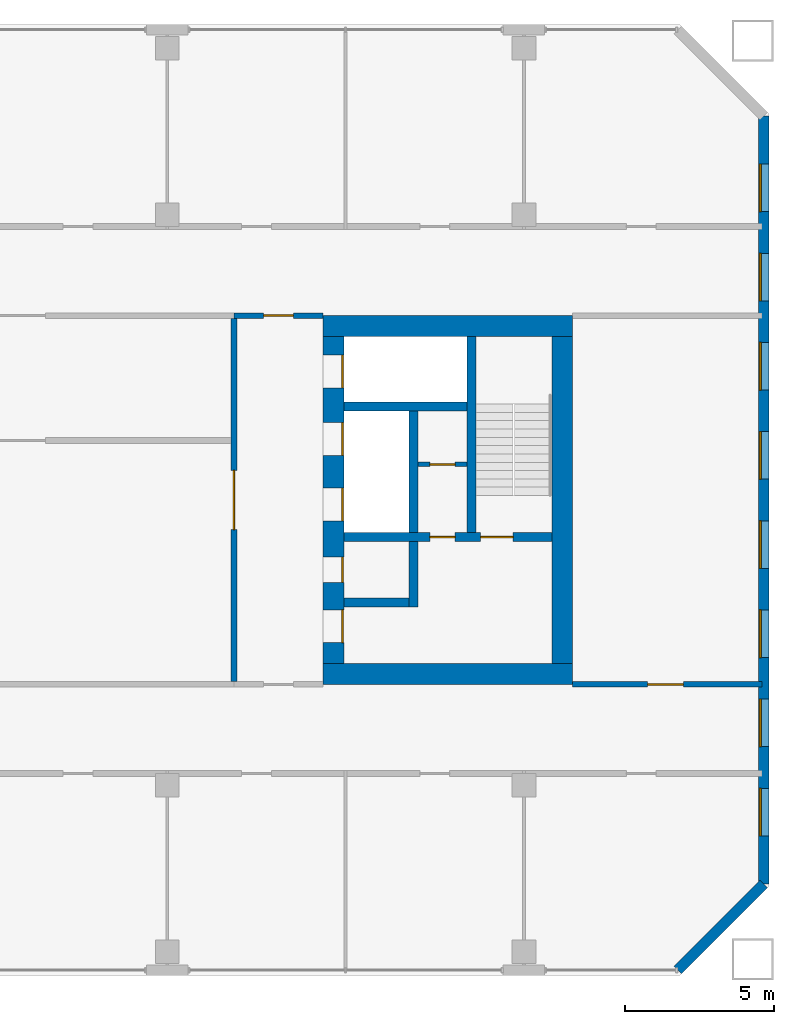
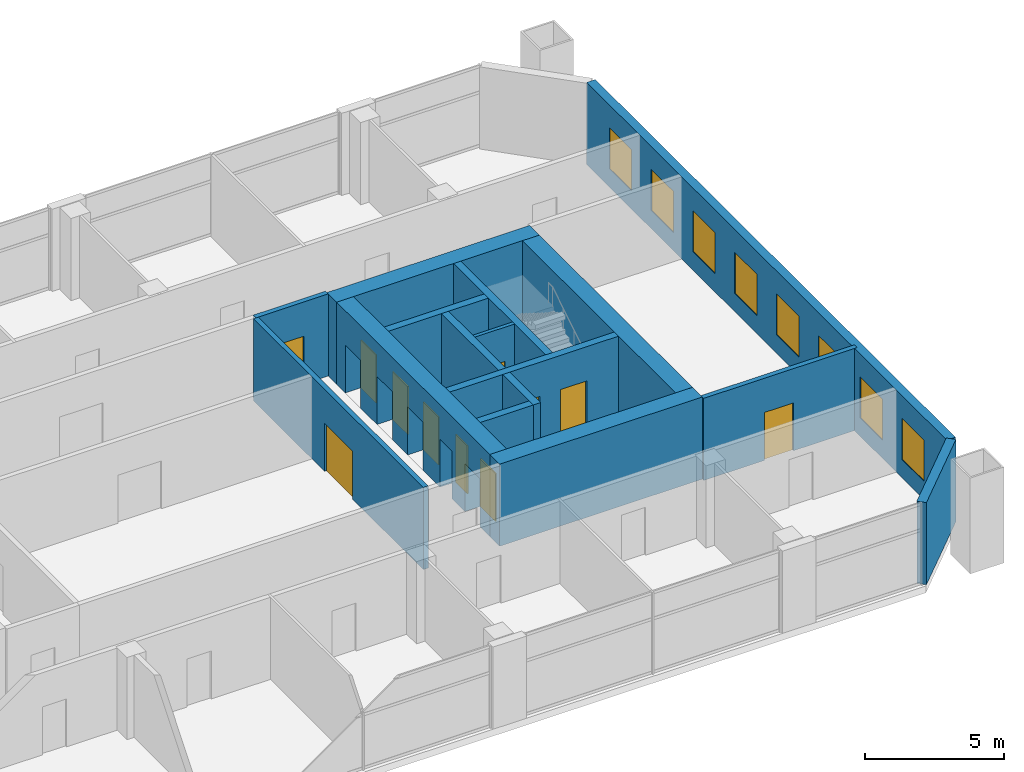
# One storey, part 15 of 19: 16 walls, 11 doors, 8 windows, 19 openings.
"""IFC4 building model written with IfcOpenShell, lengths in metres."""

import ifcopenshell
import ifcopenshell.guid

model = None  # the IFC model being written
_history = None  # IfcOwnerHistory: only IFC2X3 demands one
_inside = {}  # id of a spatial element -> (the spatial element, [elements in it])
_under = {}  # id of a project, library or spatial element -> (it, [spatial elements below it])
_declared = {}  # id of a project -> (the project, [libraries it declares])
_typed = {}  # id of a type object -> (the type object, [elements of that type])
_made_of = {}  # id of a material, layer set ... -> (it, [elements and type objects made of it])


def new_model(schema):
    """Start an empty IFC model of exactly this schema.

    Asked for "IFC4X3", IfcOpenShell would pick the latest addendum, in which some entities
    have other attributes; the version numbers below select the first issue.
    IFC2X3 requires an IfcOwnerHistory on every rooted entity: one is made here for all.
    """
    global model, _history
    if schema == "IFC4X3":
        model = ifcopenshell.file(schema_version=(4, 3, 0, 0))
    else:
        model = ifcopenshell.file(schema=schema)
    _inside.clear()
    _under.clear()
    _declared.clear()
    _typed.clear()
    _made_of.clear()
    _history = None
    if model.schema == "IFC2X3":
        org = make("IfcOrganization", Name="unknown")
        user = make(
            "IfcPersonAndOrganization",
            ThePerson=make("IfcPerson", FamilyName="unknown"),
            TheOrganization=org,
        )
        app = make(
            "IfcApplication",
            ApplicationDeveloper=org,
            Version="unknown",
            ApplicationFullName="unknown",
            ApplicationIdentifier="unknown",
        )
        _history = make(
            "IfcOwnerHistory",
            OwningUser=user,
            OwningApplication=app,
            ChangeAction="ADDED",
            CreationDate=0,
        )
    return model


def make(cls, **values):
    """One entity of the class cls with the attributes given. An attribute that is None is left unset."""
    return model.create_entity(
        cls, **{name: value for name, value in values.items() if value is not None}
    )


def rooted(cls, **values):
    """An entity with a GlobalId (a new one), such as an element, a storey or a relation."""
    return make(cls, GlobalId=ifcopenshell.guid.new(), OwnerHistory=_history, **values)


def si_unit(unit_type, name, prefix=None):
    """IfcSIUnit, for example si_unit("LENGTHUNIT", "METRE", prefix="MILLI")."""
    return make("IfcSIUnit", UnitType=unit_type, Prefix=prefix, Name=name)


def assignment(units):
    """IfcUnitAssignment: the units of a project."""
    return None if units is None else make("IfcUnitAssignment", Units=units)


def point(xyz):
    """IfcCartesianPoint."""
    return None if xyz is None else make("IfcCartesianPoint", Coordinates=xyz)


def direction(xyz):
    """IfcDirection."""
    return None if xyz is None else make("IfcDirection", DirectionRatios=xyz)


def frame(location, z_axis=None, x_axis=None):
    """IfcAxis2Placement3D, a coordinate frame: its origin and axes. An axis left out is left unset."""
    return make(
        "IfcAxis2Placement3D",
        Location=point(location),
        Axis=direction(z_axis),
        RefDirection=direction(x_axis),
    )


def frame_2d(location, x_axis=None):
    """IfcAxis2Placement2D, a coordinate frame in the plane: its origin and x axis."""
    return make(
        "IfcAxis2Placement2D", Location=point(location), RefDirection=direction(x_axis)
    )


def origin():
    """The frame at (0, 0, 0) with its axes left unset."""
    return frame((0.0, 0.0, 0.0))


def place(relative_to, where):
    """IfcLocalPlacement: puts the frame where relative to a parent placement (None: the world)."""
    return make(
        "IfcLocalPlacement", PlacementRelTo=relative_to, RelativePlacement=where
    )


def context(
    kind, dimensions, precision=None, world=None, true_north=None, identifier=None
):
    """IfcGeometricRepresentationContext, for example the 3D "Model" context."""
    return make(
        "IfcGeometricRepresentationContext",
        ContextIdentifier=identifier,
        ContextType=kind,
        CoordinateSpaceDimension=dimensions,
        Precision=precision,
        WorldCoordinateSystem=world,
        TrueNorth=true_north,
    )


def subcontext(parent, identifier, kind, view, scale=None):
    """IfcGeometricRepresentationSubContext, for example "Body" below "Model"."""
    return make(
        "IfcGeometricRepresentationSubContext",
        ContextIdentifier=identifier,
        ContextType=kind,
        ParentContext=parent,
        TargetScale=scale,
        TargetView=view,
    )


def project(units=None, contexts=None):
    """IfcProject with its units and contexts."""
    return rooted(
        "IfcProject",
        Name="project",
        RepresentationContexts=contexts,
        UnitsInContext=assignment(units),
    )


def spatial(cls, under=None, at=None, **own):
    """A site, building, storey or space (cls), placed at a placement, below another one or the project."""
    s = rooted(cls, ObjectPlacement=at, **own)
    if under is not None:
        _under.setdefault(under.id(), (under, []))[1].append(s)
    return s


def profile(cls, at=None, kind="AREA", **sizes):
    """A parametric profile (cls). Its sizes go by their IFC names, for example OverallWidth=200.0."""
    return make(cls, ProfileType=kind, Position=at, **sizes)


def rectangle(**sizes):
    """IfcRectangleProfileDef."""
    return profile("IfcRectangleProfileDef", **sizes)


def extrude(swept, where, along, depth):
    """IfcExtrudedAreaSolid: the profile swept, set in the frame where, extruded along a direction by depth."""
    return make(
        "IfcExtrudedAreaSolid",
        SweptArea=swept,
        Position=where,
        ExtrudedDirection=direction(along),
        Depth=depth,
    )


def shape(context_of_items, identifier, shape_type, items):
    """IfcShapeRepresentation: the items that make up one representation, for example the "Body"."""
    return make(
        "IfcShapeRepresentation",
        ContextOfItems=context_of_items,
        RepresentationIdentifier=identifier,
        RepresentationType=shape_type,
        Items=items,
    )


def material(Name=None, Category=None):
    """IfcMaterial."""
    return make("IfcMaterial", Name=Name, Category=Category)


def layer(
    of_material, thickness, ventilated=None, Name=None, Category=None, Priority=None
):
    """IfcMaterialLayer: one layer of a wall or slab, of a material (None: an air gap)."""
    return make(
        "IfcMaterialLayer",
        Material=of_material,
        LayerThickness=thickness,
        IsVentilated=ventilated,
        Name=Name,
        Category=Category,
        Priority=Priority,
    )


def layer_set(layers, Name=None):
    """IfcMaterialLayerSet."""
    return make("IfcMaterialLayerSet", MaterialLayers=layers, LayerSetName=Name)


def made_of(thing, what):
    """Note that an element or type object is made of a material, layer set ...; save() writes the relation."""
    if what is not None:
        _made_of.setdefault(what.id(), (what, []))[1].append(thing)
    return thing


def type_object(cls, material=None, **own):
    """A type object (cls), such as IfcWallType, which elements share."""
    return made_of(rooted(cls, **own), material)


def element(
    cls,
    number,
    at=None,
    inside=None,
    cuts=None,
    type_object=None,
    material=None,
    context=None,
    identifier="Body",
    shape_type=None,
    held_by="IfcProductDefinitionShape",
    body=None,
    shapes=None,
    **own,
):
    """One element of the class cls, such as IfcWall. Its Tag is "e" and its number.

    at: its placement. inside: the storey or other place that contains it. cuts: it is an
    opening in that element (IfcRelVoidsElement). A single representation is given by context,
    identifier, shape_type and body (its items); several are given by shapes. held_by: the class
    of the entity that holds the representations. save() writes the other relations.
    """
    e = rooted(cls, Tag="e%d" % number, ObjectPlacement=at, **own)
    if body is not None:
        shapes = [shape(context, identifier, shape_type, body)]
    if shapes is not None:
        e.Representation = make(held_by, Representations=shapes)
    if inside is not None:
        _inside.setdefault(inside.id(), (inside, []))[1].append(e)
    if cuts is not None:
        rooted(
            "IfcRelVoidsElement", RelatingBuildingElement=cuts, RelatedOpeningElement=e
        )
    if type_object is not None:
        _typed.setdefault(type_object.id(), (type_object, []))[1].append(e)
    return made_of(e, material)


def fill(opening, filler):
    """IfcRelFillsElement: the door or window that sits in an opening."""
    return rooted(
        "IfcRelFillsElement",
        RelatingOpeningElement=opening,
        RelatedBuildingElement=filler,
    )


def aggregate(whole, parts):
    """IfcRelAggregates: a whole, such as a stair, and the parts it consists of."""
    return rooted("IfcRelAggregates", RelatingObject=whole, RelatedObjects=parts)


def save(model, path):
    """Write the relations noted so far, then the file.

    IfcRelAggregates (storeys below a building ...), IfcRelContainedInSpatialStructure (elements
    in a storey), IfcRelDefinesByType, IfcRelAssociatesMaterial and IfcRelDeclares: one each for
    every whole, place, type object, material and project.
    """
    for whole, parts in _under.values():
        aggregate(whole, parts)
    for where, things in _inside.values():
        rooted(
            "IfcRelContainedInSpatialStructure",
            RelatedElements=things,
            RelatingStructure=where,
        )
    for kind, things in _typed.values():
        rooted("IfcRelDefinesByType", RelatedObjects=things, RelatingType=kind)
    for what, things in _made_of.values():
        rooted("IfcRelAssociatesMaterial", RelatedObjects=things, RelatingMaterial=what)
    for by, libraries in _declared.values():
        rooted("IfcRelDeclares", RelatingContext=by, RelatedDefinitions=libraries)
    model.write(path)


model = new_model("IFC4")

# Units and contexts
model_context = context("Model", 3, precision=1e-05, world=origin(), true_north=direction((0.0, 1.0)))
body_context = subcontext(model_context, "Body", "Model", "MODEL_VIEW")
ifc_project = project(units=[si_unit("LENGTHUNIT", "METRE"), si_unit("AREAUNIT", "SQUARE_METRE"), si_unit("VOLUMEUNIT", "CUBIC_METRE"), si_unit("PLANEANGLEUNIT", "RADIAN"), si_unit("MASSUNIT", "GRAM", prefix="KILO")], contexts=[model_context])

# Site, building, storey
site_placement = place(None, origin())
site = spatial("IfcSite", under=ifc_project, at=site_placement, CompositionType="ELEMENT")
building_placement = place(site_placement, origin())
building = spatial("IfcBuilding", under=site, at=building_placement, Name="Tuart Gate Housing", CompositionType="ELEMENT")
storey_placement = place(building_placement, frame((0.0, 0.0, 67.39990234375)))
storey = spatial("IfcBuildingStorey", under=building, at=storey_placement, Name="L18", CompositionType="ELEMENT", Elevation=67.39990234375)

# Wall
ifc_material_1 = material(Name="Brick", Category="masonry")
ifc_layer_1 = layer(ifc_material_1, 0.360107421875)
ifc_layer_set_1 = layer_set([ifc_layer_1], Name="Brick pier and spandrel wall 360")
wall_type_1 = type_object("IfcWallType", Name="Brick pier and spandrel wall 360", PredefinedType="STANDARD", material=ifc_layer_set_1)
wall_1_placement = place(storey_placement, frame((172.17529296875, 54.179931640625, 0.0), z_axis=(0.0, 0.0, 1.0), x_axis=(0.707106781187, 0.707106781187, 0.0)))
element("IfcWall", 1, at=wall_1_placement, inside=storey, type_object=wall_type_1, Name="External wall B-SE L18", PredefinedType="STANDARD", context=body_context, shape_type="SweptSolid", body=[
    extrude(rectangle(XDim=4.09375, YDim=0.360107421875, at=frame_2d((2.046875, 0.0))), origin(), (0.0, 0.0, 1.0), 3.60009765625),
])

# Wall, openings, windows
wall_2_placement = place(storey_placement, frame((175.070068359375, 57.07470703125, 0.0), z_axis=(0.0, 0.0, 1.0), x_axis=(0.0, 1.0, 0.0)))
wall_2 = element("IfcWall", 2, at=wall_2_placement, inside=storey, type_object=wall_type_1, Name="External wall B-E L18", PredefinedType="STANDARD", context=body_context, shape_type="SweptSolid", body=[
    extrude(rectangle(XDim=25.850830078125, YDim=0.360107421875, at=frame_2d((12.92529296875, 0.0))), origin(), (0.0, 0.0, 1.0), 3.60009765625),
])
opening_1_placement = place(wall_2_placement, frame((1.62548828125, 0.0, 0.800048828125)))
opening_1 = element("IfcOpeningElement", 3, at=opening_1_placement, cuts=wall_2, Name="Opening W1", PredefinedType="OPENING", context=body_context, shape_type="SweptSolid", body=[
    extrude(rectangle(XDim=1.60009765625, YDim=1.800048828125, at=frame_2d((0.800048828125, 0.89990234375))), frame((0.0, 0.18994140625, 0.0), z_axis=(0.0, -1.0, 0.0), x_axis=(1.0, 0.0, 0.0)), (0.0, 0.0, 1.0), 0.380126953125),
])
opening_2_placement = place(wall_2_placement, frame((4.62548828125, 0.0, 0.800048828125)))
opening_2 = element("IfcOpeningElement", 4, at=opening_2_placement, cuts=wall_2, Name="Opening W1", PredefinedType="OPENING", context=body_context, shape_type="SweptSolid", body=[
    extrude(rectangle(XDim=1.60009765625, YDim=1.800048828125, at=frame_2d((0.800048828125, 0.89990234375))), frame((0.0, 0.18994140625, 0.0), z_axis=(0.0, -1.0, 0.0), x_axis=(1.0, 0.0, 0.0)), (0.0, 0.0, 1.0), 0.380126953125),
])
opening_3_placement = place(wall_2_placement, frame((7.62548828125, 0.0, 0.800048828125)))
opening_3 = element("IfcOpeningElement", 5, at=opening_3_placement, cuts=wall_2, Name="Opening W1", PredefinedType="OPENING", context=body_context, shape_type="SweptSolid", body=[
    extrude(rectangle(XDim=1.60009765625, YDim=1.800048828125, at=frame_2d((0.800048828125, 0.89990234375))), frame((0.0, 0.18994140625, 0.0), z_axis=(0.0, -1.0, 0.0), x_axis=(1.0, 0.0, 0.0)), (0.0, 0.0, 1.0), 0.380126953125),
])
opening_4_placement = place(wall_2_placement, frame((10.62548828125, 0.0, 0.800048828125)))
opening_4 = element("IfcOpeningElement", 6, at=opening_4_placement, cuts=wall_2, Name="Opening W1", PredefinedType="OPENING", context=body_context, shape_type="SweptSolid", body=[
    extrude(rectangle(XDim=1.60009765625, YDim=1.800048828125, at=frame_2d((0.800048828125, 0.89990234375))), frame((0.0, 0.18994140625, 0.0), z_axis=(0.0, -1.0, 0.0), x_axis=(1.0, 0.0, 0.0)), (0.0, 0.0, 1.0), 0.380126953125),
])
opening_5_placement = place(wall_2_placement, frame((13.62548828125, 0.0, 0.800048828125)))
opening_5 = element("IfcOpeningElement", 7, at=opening_5_placement, cuts=wall_2, Name="Opening W1", PredefinedType="OPENING", context=body_context, shape_type="SweptSolid", body=[
    extrude(rectangle(XDim=1.60009765625, YDim=1.800048828125, at=frame_2d((0.800048828125, 0.89990234375))), frame((0.0, 0.18994140625, 0.0), z_axis=(0.0, -1.0, 0.0), x_axis=(1.0, 0.0, 0.0)), (0.0, 0.0, 1.0), 0.380126953125),
])
opening_6_placement = place(wall_2_placement, frame((16.62548828125, 0.0, 0.800048828125)))
opening_6 = element("IfcOpeningElement", 8, at=opening_6_placement, cuts=wall_2, Name="Opening W1", PredefinedType="OPENING", context=body_context, shape_type="SweptSolid", body=[
    extrude(rectangle(XDim=1.60009765625, YDim=1.800048828125, at=frame_2d((0.800048828125, 0.89990234375))), frame((0.0, 0.18994140625, 0.0), z_axis=(0.0, -1.0, 0.0), x_axis=(1.0, 0.0, 0.0)), (0.0, 0.0, 1.0), 0.380126953125),
])
opening_7_placement = place(wall_2_placement, frame((19.62548828125, 0.0, 0.800048828125)))
opening_7 = element("IfcOpeningElement", 9, at=opening_7_placement, cuts=wall_2, Name="Opening W1", PredefinedType="OPENING", context=body_context, shape_type="SweptSolid", body=[
    extrude(rectangle(XDim=1.60009765625, YDim=1.800048828125, at=frame_2d((0.800048828125, 0.89990234375))), frame((0.0, 0.18994140625, 0.0), z_axis=(0.0, -1.0, 0.0), x_axis=(1.0, 0.0, 0.0)), (0.0, 0.0, 1.0), 0.380126953125),
])
opening_8_placement = place(wall_2_placement, frame((22.62548828125, 0.0, 0.800048828125)))
opening_8 = element("IfcOpeningElement", 10, at=opening_8_placement, cuts=wall_2, Name="Opening W1", PredefinedType="OPENING", context=body_context, shape_type="SweptSolid", body=[
    extrude(rectangle(XDim=1.60009765625, YDim=1.800048828125, at=frame_2d((0.800048828125, 0.89990234375))), frame((0.0, 0.18994140625, 0.0), z_axis=(0.0, -1.0, 0.0), x_axis=(1.0, 0.0, 0.0)), (0.0, 0.0, 1.0), 0.380126953125),
])
ifc_material_2 = material(Name="Aluminium frame with clear glass", Category="aluminium")
window_type = type_object("IfcWindowType", Name="Punched window 1600 x 1800", PartitioningType="SINGLE_PANEL", PredefinedType="WINDOW", material=ifc_material_2)
window_1_placement = place(opening_1_placement, origin())
window_1 = element("IfcWindow", 11, at=window_1_placement, inside=storey, type_object=window_type, Name="Window W1", OverallHeight=1.800048828125, OverallWidth=1.60009765625, PartitioningType="SINGLE_PANEL", PredefinedType="WINDOW", context=body_context, shape_type="SweptSolid", body=[
    extrude(rectangle(XDim=1.60009765625, YDim=1.800048828125, at=frame_2d((0.800048828125, 0.89990234375))), frame((0.0, 0.150146484375, 0.0), z_axis=(0.0, -1.0, 0.0), x_axis=(1.0, 0.0, 0.0)), (0.0, 0.0, 1.0), 0.06005859375),
])
fill(opening_1, window_1)
window_2_placement = place(opening_2_placement, origin())
window_2 = element("IfcWindow", 12, at=window_2_placement, inside=storey, type_object=window_type, Name="Window W1", OverallHeight=1.800048828125, OverallWidth=1.60009765625, PartitioningType="SINGLE_PANEL", PredefinedType="WINDOW", context=body_context, shape_type="SweptSolid", body=[
    extrude(rectangle(XDim=1.60009765625, YDim=1.800048828125, at=frame_2d((0.800048828125, 0.89990234375))), frame((0.0, 0.150146484375, 0.0), z_axis=(0.0, -1.0, 0.0), x_axis=(1.0, 0.0, 0.0)), (0.0, 0.0, 1.0), 0.06005859375),
])
fill(opening_2, window_2)
window_3_placement = place(opening_3_placement, origin())
window_3 = element("IfcWindow", 13, at=window_3_placement, inside=storey, type_object=window_type, Name="Window W1", OverallHeight=1.800048828125, OverallWidth=1.60009765625, PartitioningType="SINGLE_PANEL", PredefinedType="WINDOW", context=body_context, shape_type="SweptSolid", body=[
    extrude(rectangle(XDim=1.60009765625, YDim=1.800048828125, at=frame_2d((0.800048828125, 0.89990234375))), frame((0.0, 0.150146484375, 0.0), z_axis=(0.0, -1.0, 0.0), x_axis=(1.0, 0.0, 0.0)), (0.0, 0.0, 1.0), 0.06005859375),
])
fill(opening_3, window_3)
window_4_placement = place(opening_4_placement, origin())
window_4 = element("IfcWindow", 14, at=window_4_placement, inside=storey, type_object=window_type, Name="Window W1", OverallHeight=1.800048828125, OverallWidth=1.60009765625, PartitioningType="SINGLE_PANEL", PredefinedType="WINDOW", context=body_context, shape_type="SweptSolid", body=[
    extrude(rectangle(XDim=1.60009765625, YDim=1.800048828125, at=frame_2d((0.800048828125, 0.89990234375))), frame((0.0, 0.150146484375, 0.0), z_axis=(0.0, -1.0, 0.0), x_axis=(1.0, 0.0, 0.0)), (0.0, 0.0, 1.0), 0.06005859375),
])
fill(opening_4, window_4)
window_5_placement = place(opening_5_placement, origin())
window_5 = element("IfcWindow", 15, at=window_5_placement, inside=storey, type_object=window_type, Name="Window W1", OverallHeight=1.800048828125, OverallWidth=1.60009765625, PartitioningType="SINGLE_PANEL", PredefinedType="WINDOW", context=body_context, shape_type="SweptSolid", body=[
    extrude(rectangle(XDim=1.60009765625, YDim=1.800048828125, at=frame_2d((0.800048828125, 0.89990234375))), frame((0.0, 0.150146484375, 0.0), z_axis=(0.0, -1.0, 0.0), x_axis=(1.0, 0.0, 0.0)), (0.0, 0.0, 1.0), 0.06005859375),
])
fill(opening_5, window_5)
window_6_placement = place(opening_6_placement, origin())
window_6 = element("IfcWindow", 16, at=window_6_placement, inside=storey, type_object=window_type, Name="Window W1", OverallHeight=1.800048828125, OverallWidth=1.60009765625, PartitioningType="SINGLE_PANEL", PredefinedType="WINDOW", context=body_context, shape_type="SweptSolid", body=[
    extrude(rectangle(XDim=1.60009765625, YDim=1.800048828125, at=frame_2d((0.800048828125, 0.89990234375))), frame((0.0, 0.150146484375, 0.0), z_axis=(0.0, -1.0, 0.0), x_axis=(1.0, 0.0, 0.0)), (0.0, 0.0, 1.0), 0.06005859375),
])
fill(opening_6, window_6)
window_7_placement = place(opening_7_placement, origin())
window_7 = element("IfcWindow", 17, at=window_7_placement, inside=storey, type_object=window_type, Name="Window W1", OverallHeight=1.800048828125, OverallWidth=1.60009765625, PartitioningType="SINGLE_PANEL", PredefinedType="WINDOW", context=body_context, shape_type="SweptSolid", body=[
    extrude(rectangle(XDim=1.60009765625, YDim=1.800048828125, at=frame_2d((0.800048828125, 0.89990234375))), frame((0.0, 0.150146484375, 0.0), z_axis=(0.0, -1.0, 0.0), x_axis=(1.0, 0.0, 0.0)), (0.0, 0.0, 1.0), 0.06005859375),
])
fill(opening_7, window_7)
window_8_placement = place(opening_8_placement, origin())
window_8 = element("IfcWindow", 18, at=window_8_placement, inside=storey, type_object=window_type, Name="Window W1", OverallHeight=1.800048828125, OverallWidth=1.60009765625, PartitioningType="SINGLE_PANEL", PredefinedType="WINDOW", context=body_context, shape_type="SweptSolid", body=[
    extrude(rectangle(XDim=1.60009765625, YDim=1.800048828125, at=frame_2d((0.800048828125, 0.89990234375))), frame((0.0, 0.150146484375, 0.0), z_axis=(0.0, -1.0, 0.0), x_axis=(1.0, 0.0, 0.0)), (0.0, 0.0, 1.0), 0.06005859375),
])
fill(opening_8, window_8)

# Wall, opening, door
ifc_material_3 = material(Name="Plasterboard partition")
ifc_layer_2 = layer(ifc_material_3, 0.14990234375)
ifc_layer_set_2 = layer_set([ifc_layer_2], Name="Core partition 150")
wall_type_2 = type_object("IfcWallType", Name="Core partition 150", PredefinedType="PARTITIONING", material=ifc_layer_set_2)
wall_3_placement = place(storey_placement, frame((163.43994140625, 71.199951171875, 0.0), z_axis=(0.0, 0.0, 1.0), x_axis=(1.0, 0.0, 0.0)))
wall_3 = element("IfcWall", 19, at=wall_3_placement, inside=storey, type_object=wall_type_2, Name="Core partition BK.2", PredefinedType="PARTITIONING", context=body_context, shape_type="SweptSolid", body=[
    extrude(rectangle(XDim=1.650146484375, YDim=0.14990234375, at=frame_2d((0.8251953125, 0.0))), origin(), (0.0, 0.0, 1.0), 3.60009765625),
])
opening_9_placement = place(wall_3_placement, frame((0.39990234375, 0.0, 0.0)))
opening_9 = element("IfcOpeningElement", 20, at=opening_9_placement, cuts=wall_3, Name="Opening D123", PredefinedType="OPENING", context=body_context, shape_type="SweptSolid", body=[
    extrude(rectangle(XDim=0.85009765625, YDim=2.10009765625, at=frame_2d((0.425048828125, 1.050048828125))), frame((0.0, 0.0849609375, 0.0), z_axis=(0.0, -1.0, 0.0), x_axis=(1.0, 0.0, 0.0)), (0.0, 0.0, 1.0), 0.169921875),
])
ifc_material_4 = material(Name="Steel fire door", Category="steel")
door_type_1 = type_object("IfcDoorType", Name="Service door 850 x 2100 RH", OperationType="SINGLE_SWING_RIGHT", PredefinedType="DOOR", material=ifc_material_4)
door_1_placement = place(opening_9_placement, frame((0.85009765625, 0.0, 0.0), z_axis=(0.0, 0.0, 1.0), x_axis=(-1.0, 0.0, 0.0)))
door_1 = element("IfcDoor", 21, at=door_1_placement, inside=storey, type_object=door_type_1, Name="Service room door BK.W2", OperationType="SINGLE_SWING_RIGHT", OverallHeight=2.10009765625, OverallWidth=0.85009765625, PredefinedType="DOOR", context=body_context, shape_type="SweptSolid", body=[
    extrude(rectangle(XDim=0.85009765625, YDim=2.10009765625, at=frame_2d((0.425048828125, 1.050048828125))), frame((0.0, 0.025146484375, 0.0), z_axis=(0.0, -1.0, 0.0), x_axis=(1.0, 0.0, 0.0)), (0.0, 0.0, 1.0), 0.050048828125),
])
fill(opening_9, door_1)

# Wall
ifc_material_5 = material(Name="Concrete C50", Category="concrete")
ifc_layer_3 = layer(ifc_material_5, 0.300048828125)
ifc_layer_set_3 = layer_set([ifc_layer_3], Name="Core wall 300 C50")
wall_type_3 = type_object("IfcWallType", Name="Core wall 300 C50", PredefinedType="SHEAR", material=ifc_layer_set_3)
wall_4_placement = place(storey_placement, frame((160.93994140625, 73.14990234375, 0.0), z_axis=(0.0, 0.0, 1.0), x_axis=(1.0, 0.0, 0.0)))
element("IfcWall", 22, at=wall_4_placement, inside=storey, type_object=wall_type_3, Name="Core wall BK.1", PredefinedType="SHEAR", context=body_context, shape_type="SweptSolid", body=[
    extrude(rectangle(XDim=4.150146484375, YDim=0.300048828125, at=frame_2d((2.0751953125, 0.0))), origin(), (0.0, 0.0, 1.0), 3.60009765625),
])

# Wall, openings, doors
wall_5_placement = place(storey_placement, frame((160.93994140625, 68.75, 0.0), z_axis=(0.0, 0.0, 1.0), x_axis=(1.0, 0.0, 0.0)))
wall_5 = element("IfcWall", 23, at=wall_5_placement, inside=storey, type_object=wall_type_3, Name="Core wall BK.3", PredefinedType="SHEAR", context=body_context, shape_type="SweptSolid", body=[
    extrude(rectangle(XDim=7.0, YDim=0.300048828125, at=frame_2d((3.5, 0.0))), origin(), (0.0, 0.0, 1.0), 3.60009765625),
])
opening_10_placement = place(wall_5_placement, frame((4.60009765625, 0.0, 0.0)))
opening_10 = element("IfcOpeningElement", 24, at=opening_10_placement, cuts=wall_5, Name="Opening D131", PredefinedType="OPENING", context=body_context, shape_type="SweptSolid", body=[
    extrude(rectangle(XDim=1.10009765625, YDim=2.10009765625, at=frame_2d((0.550048828125, 1.050048828125))), frame((0.0, 0.159912109375, 0.0), z_axis=(0.0, -1.0, 0.0), x_axis=(1.0, 0.0, 0.0)), (0.0, 0.0, 1.0), 0.320068359375),
])
opening_11_placement = place(wall_5_placement, frame((2.89990234375, 0.0, 0.0)))
opening_11 = element("IfcOpeningElement", 25, at=opening_11_placement, cuts=wall_5, Name="Opening D130", PredefinedType="OPENING", context=body_context, shape_type="SweptSolid", body=[
    extrude(rectangle(XDim=0.85009765625, YDim=2.10009765625, at=frame_2d((0.425048828125, 1.050048828125))), frame((0.0, 0.159912109375, 0.0), z_axis=(0.0, -1.0, 0.0), x_axis=(1.0, 0.0, 0.0)), (0.0, 0.0, 1.0), 0.320068359375),
])
ifc_material_6 = material(Name="Steel fire door", Category="steel")
door_type_2 = type_object("IfcDoorType", Name="Riser door 850 x 2100", OperationType="SINGLE_SWING_LEFT", PredefinedType="DOOR", material=ifc_material_6)
door_2_placement = place(opening_11_placement, origin())
door_2 = element("IfcDoor", 26, at=door_2_placement, inside=storey, type_object=door_type_2, Name="Service room door BK.W1", OperationType="SINGLE_SWING_LEFT", OverallHeight=2.10009765625, OverallWidth=0.85009765625, PredefinedType="DOOR", context=body_context, shape_type="SweptSolid", body=[
    extrude(rectangle(XDim=0.85009765625, YDim=2.10009765625, at=frame_2d((0.425048828125, 1.050048828125))), frame((0.0, 0.02490234375, 0.0), z_axis=(0.0, -1.0, 0.0), x_axis=(1.0, 0.0, 0.0)), (0.0, 0.0, 1.0), 0.050048828125),
])
fill(opening_11, door_2)
ifc_material_7 = material(Name="Steel fire door", Category="steel")
door_type_3 = type_object("IfcDoorType", Name="Stair door 1100 x 2100", OperationType="SINGLE_SWING_LEFT", PredefinedType="DOOR", material=ifc_material_7)
door_3_placement = place(opening_10_placement, origin())
door_3 = element("IfcDoor", 27, at=door_3_placement, inside=storey, type_object=door_type_3, Name="Stair door BK.SD", OperationType="SINGLE_SWING_LEFT", OverallHeight=2.10009765625, OverallWidth=1.10009765625, PredefinedType="DOOR", context=body_context, shape_type="SweptSolid", body=[
    extrude(rectangle(XDim=1.10009765625, YDim=2.10009765625, at=frame_2d((0.550048828125, 1.050048828125))), frame((0.0, 0.02490234375, 0.0), z_axis=(0.0, -1.0, 0.0), x_axis=(1.0, 0.0, 0.0)), (0.0, 0.0, 1.0), 0.050048828125),
])
fill(opening_10, door_3)

# Walls
wall_6_placement = place(storey_placement, frame((160.93994140625, 66.550048828125, 0.0), z_axis=(0.0, 0.0, 1.0), x_axis=(1.0, 0.0, 0.0)))
element("IfcWall", 28, at=wall_6_placement, inside=storey, type_object=wall_type_3, Name="Core wall BK.4", PredefinedType="SHEAR", context=body_context, shape_type="SweptSolid", body=[
    extrude(rectangle(XDim=2.199951171875, YDim=0.300048828125, at=frame_2d((1.10009765625, 0.0))), origin(), (0.0, 0.0, 1.0), 3.60009765625),
])
wall_7_placement = place(storey_placement, frame((163.2900390625, 73.0, 0.0), z_axis=(0.0, 0.0, 1.0), x_axis=(0.0, -1.0, 0.0)))
element("IfcWall", 29, at=wall_7_placement, inside=storey, type_object=wall_type_3, Name="Core wall BK.5", PredefinedType="SHEAR", context=body_context, shape_type="SweptSolid", body=[
    extrude(rectangle(XDim=4.10009765625, YDim=0.300048828125, at=frame_2d((2.050048828125, 0.0))), origin(), (0.0, 0.0, 1.0), 3.60009765625),
])
wall_8_placement = place(storey_placement, frame((163.2900390625, 68.60009765625, 0.0), z_axis=(0.0, 0.0, 1.0), x_axis=(0.0, -1.0, 0.0)))
element("IfcWall", 30, at=wall_8_placement, inside=storey, type_object=wall_type_3, Name="Core wall BK.6", PredefinedType="SHEAR", context=body_context, shape_type="SweptSolid", body=[
    extrude(rectangle(XDim=2.2001953125, YDim=0.300048828125, at=frame_2d((1.10009765625, 0.0))), origin(), (0.0, 0.0, 1.0), 3.60009765625),
])
wall_9_placement = place(storey_placement, frame((165.239990234375, 75.5, 0.0), z_axis=(0.0, 0.0, 1.0), x_axis=(0.0, -1.0, 0.0)))
element("IfcWall", 31, at=wall_9_placement, inside=storey, type_object=wall_type_3, Name="Core wall BK.7", PredefinedType="SHEAR", context=body_context, shape_type="SweptSolid", body=[
    extrude(rectangle(XDim=6.60009765625, YDim=0.300048828125, at=frame_2d((3.300048828125, 0.0))), origin(), (0.0, 0.0, 1.0), 3.60009765625),
])

# Wall, openings, doors
ifc_material_8 = material(Name="Concrete C50", Category="concrete")
ifc_layer_4 = layer(ifc_material_8, 0.699951171875)
ifc_layer_set_4 = layer_set([ifc_layer_4], Name="Core wall 700 C50")
wall_type_4 = type_object("IfcWallType", Name="Core wall 700 C50", PredefinedType="SHEAR", material=ifc_layer_set_4)
wall_10_placement = place(storey_placement, frame((160.590087890625, 75.5, 0.0), z_axis=(0.0, 0.0, 1.0), x_axis=(0.0, -1.0, 0.0)))
wall_10 = element("IfcWall", 32, at=wall_10_placement, inside=storey, type_object=wall_type_4, Name="Core wall BK front", PredefinedType="SHEAR", context=body_context, shape_type="SweptSolid", body=[
    extrude(rectangle(XDim=11.0, YDim=0.699951171875, at=frame_2d((5.5, 0.0))), origin(), (0.0, 0.0, 1.0), 3.60009765625),
])
opening_12_placement = place(wall_10_placement, frame((0.625, 0.0, 0.0)))
opening_12 = element("IfcOpeningElement", 33, at=opening_12_placement, cuts=wall_10, Name="Opening LD-FB2", PredefinedType="OPENING", context=body_context, shape_type="SweptSolid", body=[
    extrude(rectangle(XDim=1.10009765625, YDim=2.10009765625, at=frame_2d((0.550048828125, 1.050048828125))), frame((0.0, 0.35986328125, 0.0), z_axis=(0.0, -1.0, 0.0), x_axis=(1.0, 0.0, 0.0)), (0.0, 0.0, 1.0), 0.719970703125),
])
opening_13_placement = place(wall_10_placement, frame((2.89990234375, 0.0, 0.0)))
opening_13 = element("IfcOpeningElement", 34, at=opening_13_placement, cuts=wall_10, Name="Opening LD-LB3", PredefinedType="OPENING", context=body_context, shape_type="SweptSolid", body=[
    extrude(rectangle(XDim=1.10009765625, YDim=2.10009765625, at=frame_2d((0.550048828125, 1.050048828125))), frame((0.0, 0.35986328125, 0.0), z_axis=(0.0, -1.0, 0.0), x_axis=(1.0, 0.0, 0.0)), (0.0, 0.0, 1.0), 0.719970703125),
])
opening_14_placement = place(wall_10_placement, frame((5.10009765625, 0.0, 0.0)))
opening_14 = element("IfcOpeningElement", 35, at=opening_14_placement, cuts=wall_10, Name="Opening LD-LB4", PredefinedType="OPENING", context=body_context, shape_type="SweptSolid", body=[
    extrude(rectangle(XDim=1.10009765625, YDim=2.10009765625, at=frame_2d((0.550048828125, 1.050048828125))), frame((0.0, 0.35986328125, 0.0), z_axis=(0.0, -1.0, 0.0), x_axis=(1.0, 0.0, 0.0)), (0.0, 0.0, 1.0), 0.719970703125),
])
opening_15_placement = place(wall_10_placement, frame((9.199951171875, 0.0, 0.0)))
opening_15 = element("IfcOpeningElement", 36, at=opening_15_placement, cuts=wall_10, Name="Opening D128", PredefinedType="OPENING", context=body_context, shape_type="SweptSolid", body=[
    extrude(rectangle(XDim=1.10009765625, YDim=2.10009765625, at=frame_2d((0.550048828125, 1.050048828125))), frame((0.0, 0.35986328125, 0.0), z_axis=(0.0, -1.0, 0.0), x_axis=(1.0, 0.0, 0.0)), (0.0, 0.0, 1.0), 0.719970703125),
])
opening_16_placement = place(wall_10_placement, frame((7.425048828125, 0.0, 0.0)))
opening_16 = element("IfcOpeningElement", 37, at=opening_16_placement, cuts=wall_10, Name="Opening D129", PredefinedType="OPENING", context=body_context, shape_type="SweptSolid", body=[
    extrude(rectangle(XDim=0.85009765625, YDim=2.10009765625, at=frame_2d((0.425048828125, 1.050048828125))), frame((0.0, 0.35986328125, 0.0), z_axis=(0.0, -1.0, 0.0), x_axis=(1.0, 0.0, 0.0)), (0.0, 0.0, 1.0), 0.719970703125),
])
ifc_material_9 = material(Name="Stainless steel", Category="steel")
door_type_4 = type_object("IfcDoorType", Name="Landing door 1100 x 2100", OperationType="DOUBLE_DOOR_SLIDING", PredefinedType="DOOR", material=ifc_material_9)
door_4_placement = place(opening_12_placement, origin())
door_4 = element("IfcDoor", 38, at=door_4_placement, inside=storey, type_object=door_type_4, Name="Lift landing door FB2", OperationType="DOUBLE_DOOR_SLIDING", OverallHeight=2.10009765625, OverallWidth=1.10009765625, PredefinedType="DOOR", context=body_context, shape_type="SweptSolid", body=[
    extrude(rectangle(XDim=1.10009765625, YDim=2.10009765625, at=frame_2d((0.550048828125, 1.050048828125))), frame((0.0, 0.3349609375, 0.0), z_axis=(0.0, -1.0, 0.0), x_axis=(1.0, 0.0, 0.0)), (0.0, 0.0, 1.0), 0.050048828125),
])
fill(opening_12, door_4)
door_5_placement = place(opening_13_placement, origin())
door_5 = element("IfcDoor", 39, at=door_5_placement, inside=storey, type_object=door_type_4, Name="Lift landing door LB3", OperationType="DOUBLE_DOOR_SLIDING", OverallHeight=2.10009765625, OverallWidth=1.10009765625, PredefinedType="DOOR", context=body_context, shape_type="SweptSolid", body=[
    extrude(rectangle(XDim=1.10009765625, YDim=2.10009765625, at=frame_2d((0.550048828125, 1.050048828125))), frame((0.0, 0.3349609375, 0.0), z_axis=(0.0, -1.0, 0.0), x_axis=(1.0, 0.0, 0.0)), (0.0, 0.0, 1.0), 0.050048828125),
])
fill(opening_13, door_5)
door_6_placement = place(opening_14_placement, origin())
door_6 = element("IfcDoor", 40, at=door_6_placement, inside=storey, type_object=door_type_4, Name="Lift landing door LB4", OperationType="DOUBLE_DOOR_SLIDING", OverallHeight=2.10009765625, OverallWidth=1.10009765625, PredefinedType="DOOR", context=body_context, shape_type="SweptSolid", body=[
    extrude(rectangle(XDim=1.10009765625, YDim=2.10009765625, at=frame_2d((0.550048828125, 1.050048828125))), frame((0.0, 0.3349609375, 0.0), z_axis=(0.0, -1.0, 0.0), x_axis=(1.0, 0.0, 0.0)), (0.0, 0.0, 1.0), 0.050048828125),
])
fill(opening_14, door_6)
ifc_material_10 = material(Name="Steel fire door", Category="steel")
door_type_5 = type_object("IfcDoorType", Name="Lobby door 1100 x 2100", OperationType="SINGLE_SWING_LEFT", PredefinedType="DOOR", material=ifc_material_10)
door_7_placement = place(opening_15_placement, origin())
door_7 = element("IfcDoor", 41, at=door_7_placement, inside=storey, type_object=door_type_5, Name="Lobby entry door BK.EN", OperationType="SINGLE_SWING_LEFT", OverallHeight=2.10009765625, OverallWidth=1.10009765625, PredefinedType="DOOR", context=body_context, shape_type="SweptSolid", body=[
    extrude(rectangle(XDim=1.10009765625, YDim=2.10009765625, at=frame_2d((0.550048828125, 1.050048828125))), frame((0.0, 0.3349609375, 0.0), z_axis=(0.0, -1.0, 0.0), x_axis=(1.0, 0.0, 0.0)), (0.0, 0.0, 1.0), 0.050048828125),
])
fill(opening_15, door_7)
ifc_material_11 = material(Name="Steel fire door", Category="steel")
door_type_6 = type_object("IfcDoorType", Name="Service door 850 x 2100", OperationType="SINGLE_SWING_LEFT", PredefinedType="DOOR", material=ifc_material_11)
door_8_placement = place(opening_16_placement, origin())
door_8 = element("IfcDoor", 42, at=door_8_placement, inside=storey, type_object=door_type_6, Name="Service room door BK.T1", OperationType="SINGLE_SWING_LEFT", OverallHeight=2.10009765625, OverallWidth=0.85009765625, PredefinedType="DOOR", context=body_context, shape_type="SweptSolid", body=[
    extrude(rectangle(XDim=0.85009765625, YDim=2.10009765625, at=frame_2d((0.425048828125, 1.050048828125))), frame((0.0, 0.3349609375, 0.0), z_axis=(0.0, -1.0, 0.0), x_axis=(1.0, 0.0, 0.0)), (0.0, 0.0, 1.0), 0.050048828125),
])
fill(opening_16, door_8)

# Walls
wall_11_placement = place(storey_placement, frame((168.2900390625, 75.5, 0.0), z_axis=(0.0, 0.0, 1.0), x_axis=(0.0, -1.0, 0.0)))
element("IfcWall", 43, at=wall_11_placement, inside=storey, type_object=wall_type_4, Name="Core wall BK back", PredefinedType="SHEAR", context=body_context, shape_type="SweptSolid", body=[
    extrude(rectangle(XDim=11.0, YDim=0.699951171875, at=frame_2d((5.5, 0.0))), origin(), (0.0, 0.0, 1.0), 3.60009765625),
])
for number, where, z_axis, x_axis, name in (
    (44, (160.239990234375, 75.85009765625, 0.0), (0.0, 0.0, 1.0), (1.0, 0.0, 0.0), "Core wall BK south"),
    (45, (160.239990234375, 64.14990234375, 0.0), (0.0, 0.0, 1.0), (1.0, 0.0, 0.0), "Core wall BK north"),
):
    element("IfcWall", number, at=place(storey_placement, frame(where, z_axis=z_axis, x_axis=x_axis)), inside=storey, type_object=wall_type_4, Name=name, PredefinedType="SHEAR", context=body_context, shape_type="SweptSolid", body=[
        extrude(rectangle(XDim=8.39990234375, YDim=0.699951171875, at=frame_2d((4.199951171875, 0.0))), origin(), (0.0, 0.0, 1.0), 3.60009765625),
    ])

# Wall, opening, door
ifc_material_12 = material(Name="Concrete masonry 15 MPa", Category="masonry")
ifc_layer_5 = layer(ifc_material_12, 0.199951171875)
ifc_layer_set_5 = layer_set([ifc_layer_5], Name="Corridor wall masonry 200")
wall_type_5 = type_object("IfcWallType", Name="Corridor wall masonry 200", PredefinedType="PARTITIONING", material=ifc_layer_set_5)
wall_12_placement = place(storey_placement, frame((168.639892578125, 63.800048828125, 0.0), z_axis=(0.0, 0.0, 1.0), x_axis=(1.0, 0.0, 0.0)))
wall_12 = element("IfcWall", 46, at=wall_12_placement, inside=storey, type_object=wall_type_5, Name="Corridor wall masonry 200", PredefinedType="PARTITIONING", context=body_context, shape_type="SweptSolid", body=[
    extrude(rectangle(XDim=6.3701171875, YDim=0.199951171875, at=frame_2d((3.18505859375, 0.0))), origin(), (0.0, 0.0, 1.0), 3.60009765625),
])
opening_17_placement = place(wall_12_placement, frame((2.52490234375, 0.0, 0.0)))
opening_17 = element("IfcOpeningElement", 47, at=opening_17_placement, cuts=wall_12, Name="Opening D134", PredefinedType="OPENING", context=body_context, shape_type="SweptSolid", body=[
    extrude(rectangle(XDim=1.199951171875, YDim=2.10009765625, at=frame_2d((0.60009765625, 1.050048828125))), frame((0.0, 0.10986328125, 0.0), z_axis=(0.0, -1.0, 0.0), x_axis=(1.0, 0.0, 0.0)), (0.0, 0.0, 1.0), 0.219970703125),
])
ifc_material_13 = material(Name="Timber door leaf in steel frame", Category="steel")
door_type_7 = type_object("IfcDoorType", Name="Fire door 1200", OperationType="SINGLE_SWING_LEFT", PredefinedType="DOOR", material=ifc_material_13)
door_9_placement = place(opening_17_placement, origin())
door_9 = element("IfcDoor", 48, at=door_9_placement, inside=storey, type_object=door_type_7, Name="Fire door 1200", OperationType="SINGLE_SWING_LEFT", OverallHeight=2.10009765625, OverallWidth=1.199951171875, PredefinedType="DOOR", context=body_context, shape_type="SweptSolid", body=[
    extrude(rectangle(XDim=1.199951171875, YDim=2.10009765625, at=frame_2d((0.60009765625, 1.050048828125))), frame((0.0, 0.02490234375, 0.0), z_axis=(0.0, -1.0, 0.0), x_axis=(1.0, 0.0, 0.0)), (0.0, 0.0, 1.0), 0.050048828125),
])
fill(opening_17, door_9)

ifc_material_14 = material(Name="Concrete masonry 15 MPa", Category="masonry")
ifc_layer_6 = layer(ifc_material_14, 0.199951171875)
ifc_layer_set_6 = layer_set([ifc_layer_6], Name="Enclosure wall masonry 200")
wall_type_6 = type_object("IfcWallType", Name="Enclosure wall masonry 200", PredefinedType="PARTITIONING", material=ifc_layer_set_6)
wall_13_placement = place(storey_placement, frame((157.239990234375, 76.199951171875, 0.0), z_axis=(0.0, 0.0, 1.0), x_axis=(1.0, 0.0, 0.0)))
wall_13 = element("IfcWall", 49, at=wall_13_placement, inside=storey, type_object=wall_type_6, Name="Enclosure wall masonry 200", PredefinedType="PARTITIONING", context=body_context, shape_type="SweptSolid", body=[
    extrude(rectangle(XDim=3.0, YDim=0.199951171875, at=frame_2d((1.5, 0.0))), origin(), (0.0, 0.0, 1.0), 3.60009765625),
])
opening_18_placement = place(wall_13_placement, frame((1.0, 0.0, 0.0)))
opening_18 = element("IfcOpeningElement", 50, at=opening_18_placement, cuts=wall_13, Name="Opening D118", PredefinedType="OPENING", context=body_context, shape_type="SweptSolid", body=[
    extrude(rectangle(XDim=1.0, YDim=2.10009765625, at=frame_2d((0.5, 1.050048828125))), frame((0.0, 0.10986328125, 0.0), z_axis=(0.0, -1.0, 0.0), x_axis=(1.0, 0.0, 0.0)), (0.0, 0.0, 1.0), 0.219970703125),
])
ifc_material_15 = material(Name="Timber door leaf in steel frame", Category="steel")
door_type_8 = type_object("IfcDoorType", Name="Lobby door 1000 RH", OperationType="SINGLE_SWING_RIGHT", PredefinedType="DOOR", material=ifc_material_15)
door_10_placement = place(opening_18_placement, frame((1.0, 0.0, 0.0), z_axis=(0.0, 0.0, 1.0), x_axis=(-1.0, 0.0, 0.0)))
door_10 = element("IfcDoor", 51, at=door_10_placement, inside=storey, type_object=door_type_8, Name="Lobby door 1000", OperationType="SINGLE_SWING_RIGHT", OverallHeight=2.10009765625, OverallWidth=1.0, PredefinedType="DOOR", context=body_context, shape_type="SweptSolid", body=[
    extrude(rectangle(XDim=1.0, YDim=2.10009765625, at=frame_2d((0.5, 1.050048828125))), frame((0.0, 0.025146484375, 0.0), z_axis=(0.0, -1.0, 0.0), x_axis=(1.0, 0.0, 0.0)), (0.0, 0.0, 1.0), 0.050048828125),
])
fill(opening_18, door_10)

ifc_material_16 = material(Name="Plasterboard partition")
ifc_layer_7 = layer(ifc_material_16, 0.199951171875)
ifc_layer_set_7 = layer_set([ifc_layer_7], Name="Lobby wall 200")
wall_type_7 = type_object("IfcWallType", Name="Lobby wall 200", PredefinedType="PARTITIONING", material=ifc_layer_set_7)
wall_14_placement = place(storey_placement, frame((157.239990234375, 63.89990234375, 0.0), z_axis=(0.0, 0.0, 1.0), x_axis=(0.0, 1.0, 0.0)))
wall_14 = element("IfcWall", 52, at=wall_14_placement, inside=storey, type_object=wall_type_7, Name="Lift lobby wall BK", PredefinedType="PARTITIONING", context=body_context, shape_type="SweptSolid", body=[
    extrude(rectangle(XDim=12.2001953125, YDim=0.199951171875, at=frame_2d((6.10009765625, 0.0))), origin(), (0.0, 0.0, 1.0), 3.60009765625),
])
opening_19_placement = place(wall_14_placement, frame((5.10009765625, 0.0, 0.0)))
opening_19 = element("IfcOpeningElement", 53, at=opening_19_placement, cuts=wall_14, Name="Opening D127", PredefinedType="OPENING", context=body_context, shape_type="SweptSolid", body=[
    extrude(rectangle(XDim=2.0, YDim=2.10009765625, at=frame_2d((1.0, 1.050048828125))), frame((0.0, 0.10986328125, 0.0), z_axis=(0.0, -1.0, 0.0), x_axis=(1.0, 0.0, 0.0)), (0.0, 0.0, 1.0), 0.219970703125),
])
ifc_material_17 = material(Name="Steel fire door", Category="steel")
door_type_9 = type_object("IfcDoorType", Name="Smoke door 2000 x 2100", OperationType="DOUBLE_DOOR_SINGLE_SWING", PredefinedType="DOOR", material=ifc_material_17)
door_11_placement = place(opening_19_placement, frame((2.0, 0.0, 0.0), z_axis=(0.0, 0.0, 1.0), x_axis=(-1.0, 0.0, 0.0)))
door_11 = element("IfcDoor", 54, at=door_11_placement, inside=storey, type_object=door_type_9, Name="Lift lobby smoke door BK", OperationType="DOUBLE_DOOR_SINGLE_SWING", OverallHeight=2.10009765625, OverallWidth=2.0, PredefinedType="DOOR", context=body_context, shape_type="SweptSolid", body=[
    extrude(rectangle(XDim=2.0, YDim=2.10009765625, at=frame_2d((1.0, 1.050048828125))), frame((0.0, 0.025146484375, 0.0), z_axis=(0.0, -1.0, 0.0), x_axis=(1.0, 0.0, 0.0)), (0.0, 0.0, 1.0), 0.050048828125),
])
fill(opening_19, door_11)

save(model, "model.ifc")
